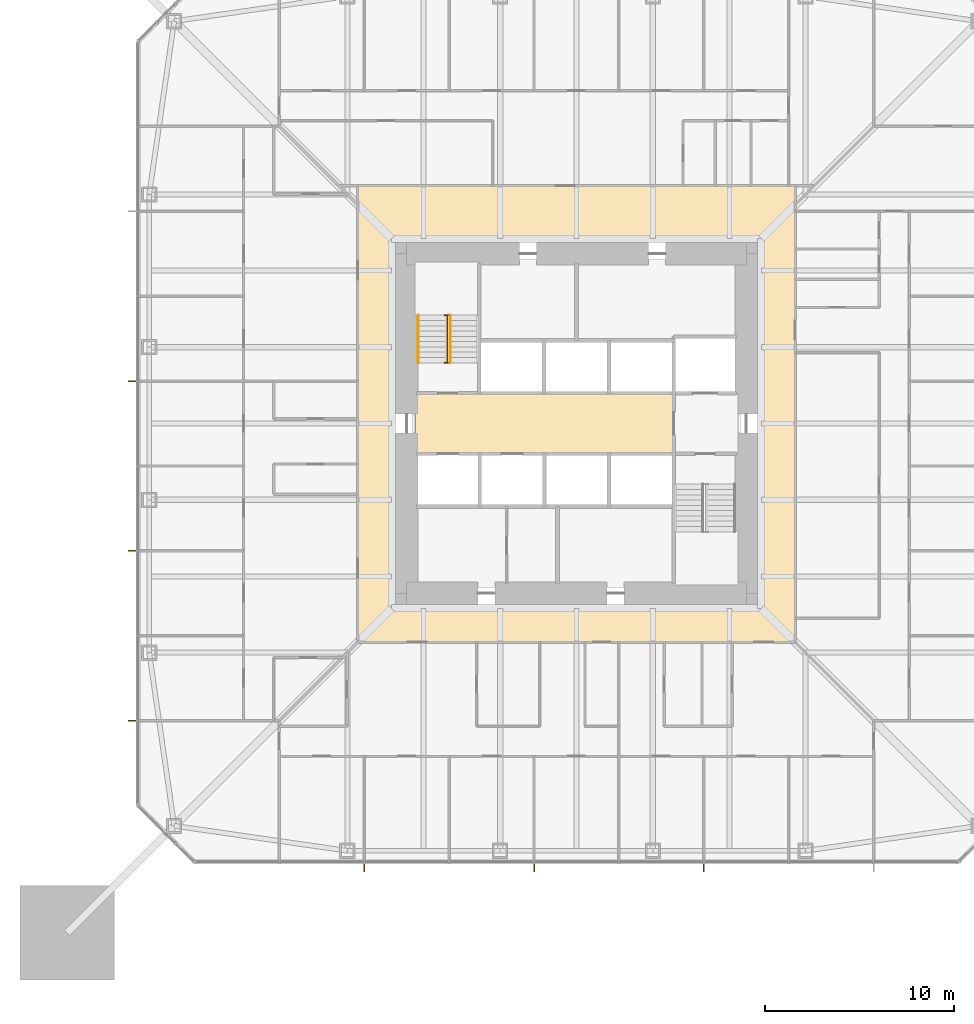
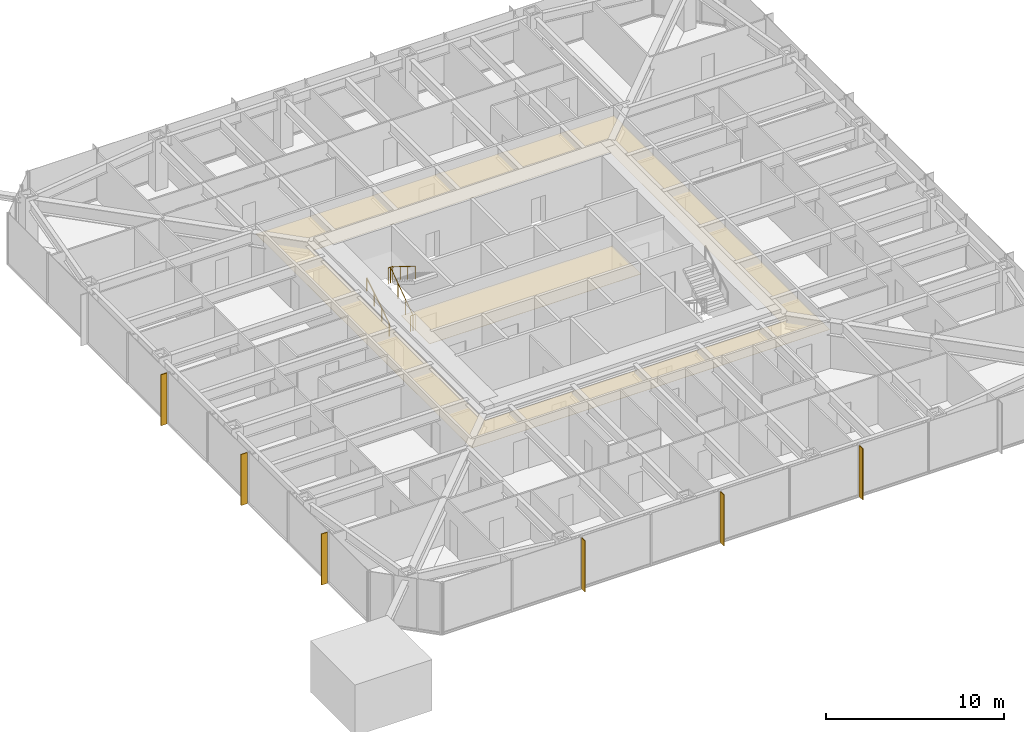
# One storey, part 23 of 26: 6 shading devices, 3 railings, 2 coverings.
"""IFC4 building model written with IfcOpenShell, lengths in metres."""

from ifc_helpers import new_model, si_unit, direction, frame, origin, origin_2d, place, context, subcontext, project, spatial, polyline, rectangle, circle, outline, extrude, material, layer, layer_set, constituent, constituent_set, type_object, element, save


model = new_model("IFC4")

# Units and contexts
model_context = context("Model", 3, precision=1e-05, world=origin(), true_north=direction((0.0, 1.0)))
body_context = subcontext(model_context, "Body", "Model", "MODEL_VIEW")
ifc_project = project(units=[si_unit("LENGTHUNIT", "METRE"), si_unit("AREAUNIT", "SQUARE_METRE"), si_unit("VOLUMEUNIT", "CUBIC_METRE"), si_unit("PLANEANGLEUNIT", "RADIAN"), si_unit("MASSUNIT", "GRAM", prefix="KILO")], contexts=[model_context])

# Site, building, storey
site_placement = place(None, origin())
site = spatial("IfcSite", under=ifc_project, at=site_placement, CompositionType="ELEMENT")
building_placement = place(site_placement, origin())
building = spatial("IfcBuilding", under=site, at=building_placement, Name="Iwan Alto Co-Living Towers", CompositionType="ELEMENT")
storey_placement = place(building_placement, frame((0.0, 0.0, 60.5)))
storey = spatial("IfcBuildingStorey", under=building, at=storey_placement, Name="L16", CompositionType="ELEMENT", Elevation=60.5)

# Covering
ifc_material_1 = material(Name="Mineral fibre acoustic tiles on steel grid", Category="steel")
ifc_layer_1 = layer(ifc_material_1, 0.02001953125)
ifc_layer_set_1 = layer_set([ifc_layer_1], Name="ACOUSTIC TILE CEILING 20")
covering_type_1 = type_object("IfcCoveringType", Name="ACOUSTIC TILE CEILING 20", PredefinedType="CEILING", material=ifc_layer_set_1)
covering_1_placement = place(storey_placement, frame((0.0, 0.0, 2.60009765625)))
element("IfcCovering", 1, at=covering_1_placement, inside=storey, type_object=covering_type_1, Name="Ceiling Lift lobby L16", PredefinedType="CEILING", context=body_context, shape_type="SweptSolid", body=[
    extrude(outline(polyline([(-8.550048828125, -1.60009765625), (-8.550048828125, 1.60009765625), (5.14990234375, 1.60009765625), (5.14990234375, -1.60009765625), (-8.550048828125, -1.60009765625)])), origin(), (0.0, 0.0, 1.0), 0.02001953125),
])

# Shading devices
ifc_material_2 = material(Name="Aluminium 6063-T6 bronze anodised", Category="aluminium")
ifc_layer_2 = layer(ifc_material_2, 0.050048828125)
ifc_layer_set_2 = layer_set([ifc_layer_2], Name="BRONZE FIN 50X400")
shading_device_type = type_object("IfcShadingDeviceType", Name="BRONZE FIN 50X400", PredefinedType="USERDEFINED", material=ifc_layer_set_2)
for number, where, z_axis, x_axis, name in (
    (2, (-11.25, -23.550048828125, 0.0), (0.0, 0.0, 1.0), (1.0, 0.0, 0.0), "Bronze fin L16"),
    (3, (-2.25, -23.550048828125, 0.0), (0.0, 0.0, 1.0), (1.0, 0.0, 0.0), "Bronze fin L16"),
    (4, (6.75, -23.550048828125, 0.0), (0.0, 0.0, 1.0), (1.0, 0.0, 0.0), "Bronze fin L16"),
    (5, (-23.550048828125, 2.25, 0.0), (0.0, 0.0, 1.0), (0.0, -1.0, 0.0), "Bronze fin L16"),
    (6, (-23.550048828125, -6.75, 0.0), (0.0, 0.0, 1.0), (0.0, -1.0, 0.0), "Bronze fin L16"),
    (7, (-23.550048828125, -15.75, 0.0), (0.0, 0.0, 1.0), (0.0, -1.0, 0.0), "Bronze fin L16"),
):
    element("IfcShadingDevice", number, at=place(storey_placement, frame(where, z_axis=z_axis, x_axis=x_axis)), inside=storey, type_object=shading_device_type, Name=name, ObjectType="LOUVER", PredefinedType="USERDEFINED", context=body_context, shape_type="SweptSolid", body=[
        extrude(rectangle(XDim=0.050048828125, YDim=0.39990234375, at=origin_2d()), origin(), (0.0, 0.0, 1.0), 3.5),
    ])

# Railings
ifc_material_3 = material(Name="Steel ASTM A500 Gr C", Category="steel")
ifc_constituent_1 = constituent(ifc_material_3, Name="Rails and posts", Category="Framing")
ifc_material_4 = material(Name="Steel ASTM A36", Category="steel")
ifc_constituent_2 = constituent(ifc_material_4, Name="Bar infill", Category="Infill")
ifc_constituent_set = constituent_set(constituents=[ifc_constituent_1, ifc_constituent_2], Name="STAIR GUARD 1100")
railing_type_1 = type_object("IfcRailingType", Name="STAIR GUARD 1100", PredefinedType="GUARDRAIL", material=ifc_constituent_set)
railing_1_placement = place(storey_placement, frame((-6.85009765625, 3.219970703125, 0.0)))
element("IfcRailing", 8, at=railing_1_placement, inside=storey, type_object=railing_type_1, Name="Stair T1-S1 well guard L16", PredefinedType="GUARDRAIL", context=body_context, shape_type="SweptSolid", body=[
    extrude(circle(Radius=0.02392578125, at=origin_2d()), frame((0.0, 0.0, 1.076171875), z_axis=(0.0, 0.821372036852, 0.570392826987), x_axis=(-1.0, 0.0, 0.0)), (0.0, 0.0, 1.0), 3.068115234375),
    extrude(circle(Radius=0.02392578125, at=origin_2d()), frame((-0.14990234375, 0.0, 1.076171875), z_axis=(1.0, 0.0, 0.0), x_axis=(0.0, 1.0, 0.0)), (0.0, 0.0, 1.0), 0.300048828125),
    extrude(circle(Radius=0.02392578125, at=origin_2d()), frame((-0.14990234375, 2.52001953125, 2.826171875), z_axis=(1.0, 0.0, 0.0), x_axis=(0.0, 1.0, 0.0)), (0.0, 0.0, 1.0), 0.300048828125),
    extrude(circle(Radius=0.02099609375, at=origin_2d()), origin(), (0.0, 0.0, 1.0), 1.052001953125),
    extrude(circle(Radius=0.02099609375, at=origin_2d()), frame((0.0, 0.840087890625, 0.583251953125)), (0.0, 0.0, 1.0), 1.052001953125),
    extrude(circle(Radius=0.02099609375, at=origin_2d()), frame((0.0, 1.679931640625, 1.166748046875)), (0.0, 0.0, 1.0), 1.052001953125),
    extrude(circle(Radius=0.02099609375, at=origin_2d()), frame((0.0, 2.52001953125, 1.75)), (0.0, 0.0, 1.0), 1.052001953125),
    extrude(circle(Radius=0.02099609375, at=origin_2d()), frame((-0.14990234375, 0.0, 0.0)), (0.0, 0.0, 1.0), 1.052001953125),
    extrude(circle(Radius=0.02099609375, at=origin_2d()), frame((0.150146484375, 0.0, 0.0)), (0.0, 0.0, 1.0), 1.052001953125),
    extrude(circle(Radius=0.02099609375, at=origin_2d()), frame((-0.14990234375, 2.52001953125, 1.75)), (0.0, 0.0, 1.0), 1.052001953125),
    extrude(circle(Radius=0.02099609375, at=origin_2d()), frame((0.150146484375, 2.52001953125, 1.75)), (0.0, 0.0, 1.0), 1.052001953125),
])
ifc_material_5 = material(Name="Steel ASTM A500 Gr C", Category="steel")
railing_type_2 = type_object("IfcRailingType", Name="STAIR HANDRAIL 900", PredefinedType="HANDRAIL", material=ifc_material_5)
railing_2_placement = place(storey_placement, frame((-8.3798828125, 3.219970703125, 0.175048828125)))
element("IfcRailing", 9, at=railing_2_placement, inside=storey, type_object=railing_type_2, Name="Stair T1-S1 handrail 1 L16", PredefinedType="HANDRAIL", context=body_context, shape_type="SweptSolid", body=[
    extrude(circle(Radius=0.02392578125, at=origin_2d()), frame((0.0, 0.0, 0.8759765625), z_axis=(0.0, 0.848007534815, 0.529984170421), x_axis=(-1.0, 0.0, 0.0)), (0.0, 0.0, 1.0), 2.9716796875),
    extrude(circle(Radius=0.02099609375, at=origin_2d()), origin(), (0.0, 0.0, 1.0), 0.851806640625),
    extrude(circle(Radius=0.02099609375, at=origin_2d()), frame((0.0, 0.840087890625, 0.52490234375)), (0.0, 0.0, 1.0), 0.851806640625),
    extrude(circle(Radius=0.02099609375, at=origin_2d()), frame((0.0, 1.679931640625, 1.050048828125)), (0.0, 0.0, 1.0), 0.851806640625),
    extrude(circle(Radius=0.02099609375, at=origin_2d()), frame((0.0, 2.52001953125, 1.574951171875)), (0.0, 0.0, 1.0), 0.851806640625),
])
railing_3_placement = place(storey_placement, frame((-6.699951171875, 5.739990234375, 1.925048828125)))
element("IfcRailing", 10, at=railing_3_placement, inside=storey, type_object=railing_type_2, Name="Stair T1-S1 handrail 2 L16", PredefinedType="HANDRAIL", context=body_context, shape_type="SweptSolid", body=[
    extrude(circle(Radius=0.02392578125, at=origin_2d()), frame((0.0, 0.0, 0.8759765625), z_axis=(0.0, -0.848007534815, 0.529984170421), x_axis=(1.0, 0.0, 0.0)), (0.0, 0.0, 1.0), 2.9716796875),
    extrude(circle(Radius=0.02099609375, at=origin_2d()), origin(), (0.0, 0.0, 1.0), 0.851806640625),
    extrude(circle(Radius=0.02099609375, at=origin_2d()), frame((0.0, -0.840087890625, 0.52490234375)), (0.0, 0.0, 1.0), 0.851806640625),
    extrude(circle(Radius=0.02099609375, at=origin_2d()), frame((0.0, -1.679931640625, 1.050048828125)), (0.0, 0.0, 1.0), 0.851806640625),
    extrude(circle(Radius=0.02099609375, at=origin_2d()), frame((0.0, -2.52001953125, 1.574951171875)), (0.0, 0.0, 1.0), 0.851806640625),
])

# Covering
ifc_material_6 = material(Name="Gypsum plasterboard on steel grid", Category="steel")
ifc_layer_3 = layer(ifc_material_6, 0.014892578125)
ifc_layer_set_3 = layer_set([ifc_layer_3], Name="SUSPENDED PLASTERBOARD CEILING 15")
covering_type_2 = type_object("IfcCoveringType", Name="SUSPENDED PLASTERBOARD CEILING 15", PredefinedType="CEILING", material=ifc_layer_set_3)
covering_2_placement = place(storey_placement, frame((0.0, 0.0, 2.60009765625)))
element("IfcCovering", 11, at=covering_2_placement, inside=storey, type_object=covering_type_2, Name="Ceiling Corridor L16", PredefinedType="CEILING", context=body_context, shape_type="SweptSolid", body=[
    extrude(outline(polyline([(-11.60009765625, 12.60009765625), (11.60009765625, 12.60009765625), (11.60009765625, -11.60009765625), (-11.60009765625, -11.60009765625), (-11.60009765625, 12.60009765625)]), holes=[polyline([(-9.60009765625, 9.60009765625), (-9.60009765625, -9.60009765625), (9.60009765625, -9.60009765625), (9.60009765625, 9.60009765625), (-9.60009765625, 9.60009765625)])]), origin(), (0.0, 0.0, 1.0), 0.014892578125),
])

save(model, "model.ifc")
